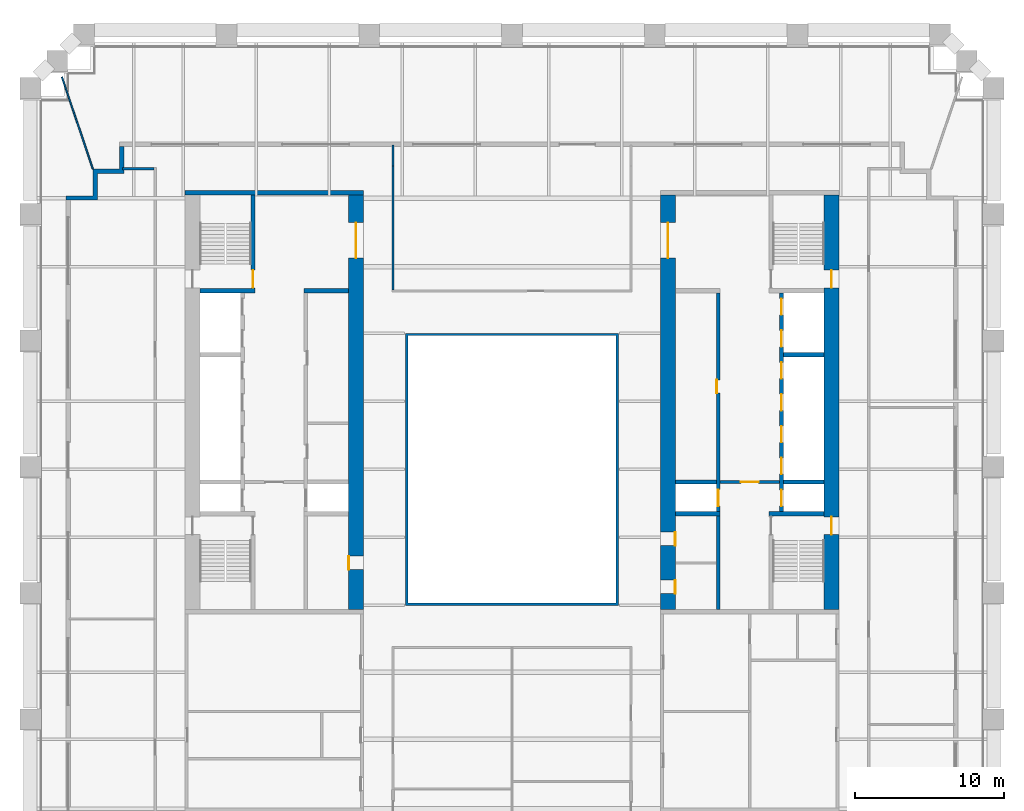
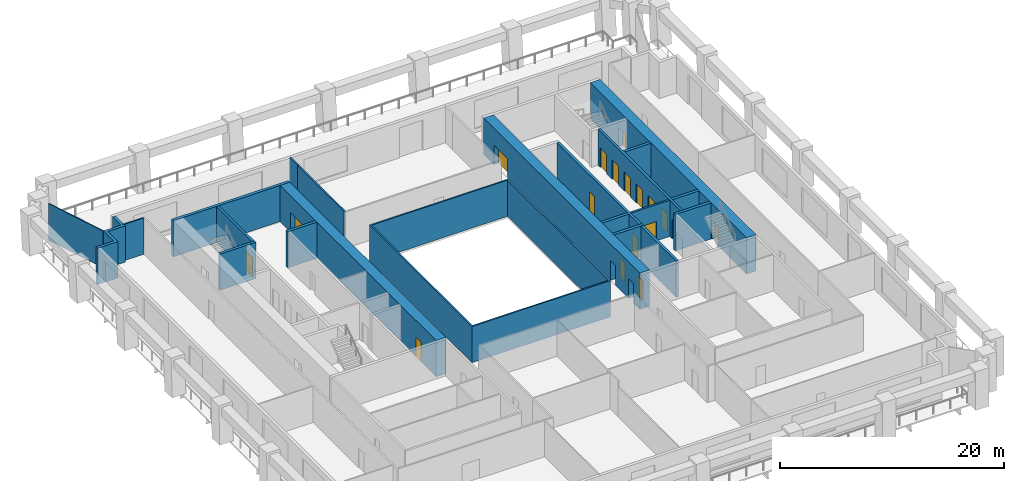
# One storey, part 6 of 9: 21 walls, 18 doors, 18 openings.
"""IFC4 building model written with IfcOpenShell, lengths in metres."""

from ifc_helpers import new_model, si_unit, direction, frame, frame_2d, origin, place, context, subcontext, project, spatial, polyline, rectangle, outline, extrude, material, layer, layer_set, type_object, element, fill, save


model = new_model("IFC4")

# Units and contexts
model_context = context("Model", 3, precision=1e-05, world=origin(), true_north=direction((0.0, 1.0)))
body_context = subcontext(model_context, "Body", "Model", "MODEL_VIEW")
ifc_project = project(units=[si_unit("LENGTHUNIT", "METRE"), si_unit("AREAUNIT", "SQUARE_METRE"), si_unit("VOLUMEUNIT", "CUBIC_METRE"), si_unit("PLANEANGLEUNIT", "RADIAN"), si_unit("MASSUNIT", "GRAM", prefix="KILO")], contexts=[model_context])

# Site, building, storey
site_placement = place(None, origin())
site = spatial("IfcSite", under=ifc_project, at=site_placement, CompositionType="ELEMENT")
building_placement = place(site_placement, origin())
building = spatial("IfcBuilding", under=site, at=building_placement, Name="Ogive Exchange Tower", CompositionType="ELEMENT")
storey_placement = place(building_placement, frame((0.0, 0.0, 85.800048828125)))
storey = spatial("IfcBuildingStorey", under=building, at=storey_placement, Name="L18", CompositionType="ELEMENT", Elevation=85.800048828125)

# Walls
ifc_material_1 = material(Name="Gypsum board partition")
ifc_layer_1 = layer(ifc_material_1, 0.300048828125)
ifc_layer_set_1 = layer_set([ifc_layer_1], Name="Core room partition 300 gypsum")
wall_type_1 = type_object("IfcWallType", Name="Core room partition 300 gypsum", PredefinedType="PARTITIONING", material=ifc_layer_set_1)
wall_1_placement = place(storey_placement, frame((-14.0, 19.0, 0.0), z_axis=(0.0, 0.0, 1.0), x_axis=(1.0, 0.0, 0.0)))
element("IfcWall", 1, at=wall_1_placement, inside=storey, type_object=wall_type_1, Name="W row B room end wall 7", PredefinedType="PARTITIONING", context=body_context, shape_type="SweptSolid", body=[
    extrude(rectangle(XDim=3.0, YDim=0.300048828125, at=frame_2d((1.5, 0.0))), origin(), (0.0, 0.0, 1.0), 3.949951171875),
])
ifc_material_2 = material(Name="Fire partition EI 60 150")
ifc_layer_2 = layer(ifc_material_2, 0.14990234375)
ifc_layer_set_2 = layer_set([ifc_layer_2], Name="Fire partition EI 60 150")
wall_type_2 = type_object("IfcWallType", Name="Fire partition EI 60 150", PredefinedType="PARTITIONING", material=ifc_layer_set_2)
wall_2_placement = place(storey_placement, frame((-24.074951171875, 27.2099609375, 0.0), z_axis=(0.0, 0.0, 1.0), x_axis=(-1.0, 0.0, 0.0)))
element("IfcWall", 2, at=wall_2_placement, inside=storey, type_object=wall_type_2, Name="L18-PWL-006", PredefinedType="PARTITIONING", context=body_context, shape_type="SweptSolid", body=[
    extrude(rectangle(XDim=2.125, YDim=0.14990234375, at=frame_2d((1.0625, 0.0))), origin(), (0.0, 0.0, 1.0), 3.949951171875),
])
wall_3_placement = place(storey_placement, frame((-8.010009765625, 28.800048828125, 0.0), z_axis=(0.0, 0.0, 1.0), x_axis=(0.0, -1.0, 0.0)))
element("IfcWall", 3, at=wall_3_placement, inside=storey, type_object=wall_type_2, Name="L18-PWL-009", PredefinedType="PARTITIONING", context=body_context, shape_type="SweptSolid", body=[
    extrude(rectangle(XDim=1.400146484375, YDim=0.14990234375, at=frame_2d((0.7001953125, 0.0))), origin(), (0.0, 0.0, 1.0), 3.949951171875),
])
wall_4_placement = place(storey_placement, frame((-8.0, 27.39990234375, 0.0), z_axis=(0.0, 0.0, 1.0), x_axis=(0.0, -1.0, 0.0)))
element("IfcWall", 4, at=wall_4_placement, inside=storey, type_object=wall_type_2, Name="L18-PWL-014", PredefinedType="PARTITIONING", context=body_context, shape_type="SweptSolid", body=[
    extrude(rectangle(XDim=8.324951171875, YDim=0.14990234375, at=frame_2d((4.16259765625, 0.0))), origin(), (0.0, 0.0, 1.0), 3.949951171875),
])
ifc_material_3 = material(Name="Fire-resisting glass in steel frame", Category="steel")
ifc_layer_3 = layer(ifc_material_3, 0.14990234375)
ifc_layer_set_3 = layer_set([ifc_layer_3], Name="Fire-rated glazed wall 150")
wall_type_3 = type_object("IfcWallType", Name="Fire-rated glazed wall 150", PredefinedType="STANDARD", material=ifc_layer_set_3)
wall_5_placement = place(storey_placement, origin())
element("IfcWall", 5, at=wall_5_placement, inside=storey, type_object=wall_type_3, Name="Nave enclosure wall", PredefinedType="STANDARD", context=body_context, shape_type="SweptSolid", body=[
    extrude(outline(polyline([(-7.14990234375, -2.14990234375), (7.14990234375, -2.14990234375), (7.14990234375, 16.14990234375), (-7.14990234375, 16.14990234375), (-7.14990234375, -2.14990234375)]), holes=[polyline([(-7.0, -2.0), (-7.0, 16.0), (7.0, 16.0), (7.0, -2.0), (-7.0, -2.0)])]), origin(), (0.0, 0.0, 1.0), 3.949951171875),
])
ifc_material_4 = material(Name="Precast concrete C40/50", Category="concrete")
ifc_layer_4 = layer(ifc_material_4, 0.300048828125)
ifc_layer_set_4 = layer_set([ifc_layer_4], Name="Limestone-faced wall 300")
wall_type_4 = type_object("IfcWallType", Name="Limestone-faced wall 300", PredefinedType="STANDARD", material=ifc_layer_set_4)
wall_6_placement = place(storey_placement, origin())
element("IfcWall", 6, at=wall_6_placement, inside=storey, type_object=wall_type_4, Name="External corner wall C3", PredefinedType="STANDARD", context=body_context, shape_type="SweptSolid", body=[
    extrude(outline(polyline([(-28.199951171875, 25.39990234375), (-28.199951171875, 27.199951171875), (-26.39990234375, 27.199951171875), (-26.39990234375, 28.699951171875), (-26.10009765625, 28.699951171875), (-26.10009765625, 26.89990234375), (-27.89990234375, 26.89990234375), (-27.89990234375, 25.10009765625), (-30.0, 25.10009765625), (-30.0, 25.39990234375), (-28.199951171875, 25.39990234375)])), origin(), (0.0, 0.0, 1.0), 3.949951171875),
])
ifc_material_5 = material(Name="Laminated safety glass in steel frame", Category="steel")
ifc_layer_5 = layer(ifc_material_5, 0.10009765625)
ifc_layer_set_5 = layer_set([ifc_layer_5], Name="Loggia end screen 100")
wall_type_5 = type_object("IfcWallType", Name="Loggia end screen 100", PredefinedType="STANDARD", material=ifc_layer_set_5)
wall_7_placement = place(storey_placement, frame((-28.199951171875, 27.199951171875, -0.050048828125), z_axis=(0.0, 0.0, 1.0), x_axis=(-0.318381156621, 0.94796278361, 0.0)))
element("IfcWall", 7, at=wall_7_placement, inside=storey, type_object=wall_type_5, Name="Loggia end screen C3", PredefinedType="STANDARD", context=body_context, shape_type="SweptSolid", body=[
    extrude(rectangle(XDim=6.52783203125, YDim=0.10009765625, at=frame_2d((3.263916015625, 0.0))), origin(), (0.0, 0.0, 1.0), 4.0),
])

# Wall, openings, doors
ifc_material_6 = material(Name="Concrete C70/85", Category="concrete")
ifc_layer_6 = layer(ifc_material_6, 1.0)
ifc_layer_set_6 = layer_set([ifc_layer_6], Name="RC core wall 1000 C70/85")
wall_type_6 = type_object("IfcWallType", Name="RC core wall 1000 C70/85", PredefinedType="SHEAR", material=ifc_layer_set_6)
wall_8_placement = place(storey_placement, frame((-10.5, -2.449951171875, 0.0), z_axis=(0.0, 0.0, 1.0), x_axis=(0.0, 1.0, 0.0)))
wall_8 = element("IfcWall", 8, at=wall_8_placement, inside=storey, type_object=wall_type_6, Name="W inner wall", PredefinedType="SHEAR", context=body_context, shape_type="SweptSolid", body=[
    extrude(rectangle(XDim=27.89990234375, YDim=1.0, at=frame_2d((13.949951171875, 0.0))), origin(), (0.0, 0.0, 1.0), 3.949951171875),
])
opening_1_placement = place(wall_8_placement, frame((23.64990234375, 0.0, 0.0)))
opening_1 = element("IfcOpeningElement", 9, at=opening_1_placement, cuts=wall_8, Name="Opening L18-C12", PredefinedType="OPENING", context=body_context, shape_type="SweptSolid", body=[
    extrude(rectangle(XDim=2.39990234375, YDim=2.10009765625, at=frame_2d((1.199951171875, 1.050048828125))), frame((0.0, 0.510009765625, 0.0), z_axis=(0.0, -1.0, 0.0), x_axis=(1.0, 0.0, 0.0)), (0.0, 0.0, 1.0), 1.02001953125),
])
opening_2_placement = place(wall_8_placement, frame((2.699951171875, 0.0, 0.0)))
opening_2 = element("IfcOpeningElement", 10, at=opening_2_placement, cuts=wall_8, Name="Opening L18-C17", PredefinedType="OPENING", context=body_context, shape_type="SweptSolid", body=[
    extrude(rectangle(XDim=0.89990234375, YDim=2.10009765625, at=frame_2d((0.449951171875, 1.050048828125))), frame((0.0, 0.510009765625, 0.0), z_axis=(0.0, -1.0, 0.0), x_axis=(1.0, 0.0, 0.0)), (0.0, 0.0, 1.0), 1.02001953125),
])
ifc_material_7 = material(Name="Timber fire door", Category="wood")
door_type_1 = type_object("IfcDoorType", Name="Core room door FD30S 900 x 2100", OperationType="NOTDEFINED", PredefinedType="DOOR", material=ifc_material_7)
door_1_placement = place(opening_2_placement, origin())
door_1 = element("IfcDoor", 11, at=door_1_placement, inside=storey, type_object=door_type_1, Name="Core room door", ObjectType="CD6", OperationType="SINGLE_SWING_LEFT", OverallHeight=2.10009765625, OverallWidth=0.89990234375, PredefinedType="DOOR", context=body_context, shape_type="SweptSolid", body=[
    extrude(rectangle(XDim=0.89990234375, YDim=2.10009765625, at=frame_2d((0.449951171875, 1.050048828125))), frame((0.0, 0.5, 0.0), z_axis=(0.0, -1.0, 0.0), x_axis=(1.0, 0.0, 0.0)), (0.0, 0.0, 1.0), 0.050048828125),
])
fill(opening_2, door_1)
ifc_material_8 = material(Name="Glazed steel fire door", Category="steel")
door_type_2 = type_object("IfcDoorType", Name="Lift lobby double door FD60 2400 x 2100", OperationType="DOUBLE_DOOR_SINGLE_SWING", PredefinedType="DOOR", material=ifc_material_8)
door_2_placement = place(opening_1_placement, origin())
door_2 = element("IfcDoor", 12, at=door_2_placement, inside=storey, type_object=door_type_2, Name="Lift lobby double door", ObjectType="CD4", OperationType="DOUBLE_DOOR_SINGLE_SWING", OverallHeight=2.10009765625, OverallWidth=2.39990234375, PredefinedType="DOOR", context=body_context, shape_type="SweptSolid", body=[
    extrude(rectangle(XDim=2.39990234375, YDim=2.10009765625, at=frame_2d((1.199951171875, 1.050048828125))), frame((0.0, 0.02490234375, 0.0), z_axis=(0.0, -1.0, 0.0), x_axis=(1.0, 0.0, 0.0)), (0.0, 0.0, 1.0), 0.050048828125),
])
fill(opening_1, door_2)

wall_9_placement = place(storey_placement, frame((21.5, -2.449951171875, 0.0), z_axis=(0.0, 0.0, 1.0), x_axis=(0.0, 1.0, 0.0)))
wall_9 = element("IfcWall", 13, at=wall_9_placement, inside=storey, type_object=wall_type_6, Name="E outer wall", PredefinedType="SHEAR", context=body_context, shape_type="SweptSolid", body=[
    extrude(rectangle(XDim=27.89990234375, YDim=1.0, at=frame_2d((13.949951171875, 0.0))), origin(), (0.0, 0.0, 1.0), 3.949951171875),
])
opening_3_placement = place(wall_9_placement, frame((5.050048828125, 0.0, 0.0)))
opening_3 = element("IfcOpeningElement", 14, at=opening_3_placement, cuts=wall_9, Name="Opening L18-C34", PredefinedType="OPENING", context=body_context, shape_type="SweptSolid", body=[
    extrude(rectangle(XDim=1.199951171875, YDim=2.10009765625, at=frame_2d((0.60009765625, 1.050048828125))), frame((0.0, 0.510009765625, 0.0), z_axis=(0.0, -1.0, 0.0), x_axis=(1.0, 0.0, 0.0)), (0.0, 0.0, 1.0), 1.02001953125),
])
opening_4_placement = place(wall_9_placement, frame((21.64990234375, 0.0, 0.0)))
opening_4 = element("IfcOpeningElement", 15, at=opening_4_placement, cuts=wall_9, Name="Opening L18-C36", PredefinedType="OPENING", context=body_context, shape_type="SweptSolid", body=[
    extrude(rectangle(XDim=1.199951171875, YDim=2.10009765625, at=frame_2d((0.60009765625, 1.050048828125))), frame((0.0, 0.510009765625, 0.0), z_axis=(0.0, -1.0, 0.0), x_axis=(1.0, 0.0, 0.0)), (0.0, 0.0, 1.0), 1.02001953125),
])
ifc_material_9 = material(Name="Steel fire door", Category="steel")
door_type_3 = type_object("IfcDoorType", Name="Stair door FD90 1200 x 2100", OperationType="NOTDEFINED", PredefinedType="DOOR", material=ifc_material_9)
door_3_placement = place(opening_3_placement, origin())
door_3 = element("IfcDoor", 16, at=door_3_placement, inside=storey, type_object=door_type_3, Name="Stair door", ObjectType="CD5", OperationType="SINGLE_SWING_LEFT", OverallHeight=2.10009765625, OverallWidth=1.199951171875, PredefinedType="DOOR", context=body_context, shape_type="SweptSolid", body=[
    extrude(rectangle(XDim=1.199951171875, YDim=2.10009765625, at=frame_2d((0.60009765625, 1.050048828125))), frame((0.0, 0.02490234375, 0.0), z_axis=(0.0, -1.0, 0.0), x_axis=(1.0, 0.0, 0.0)), (0.0, 0.0, 1.0), 0.050048828125),
])
fill(opening_3, door_3)
door_4_placement = place(opening_4_placement, origin())
door_4 = element("IfcDoor", 17, at=door_4_placement, inside=storey, type_object=door_type_3, Name="Stair door", ObjectType="CD5", OperationType="SINGLE_SWING_RIGHT", OverallHeight=2.10009765625, OverallWidth=1.199951171875, PredefinedType="DOOR", context=body_context, shape_type="SweptSolid", body=[
    extrude(rectangle(XDim=1.199951171875, YDim=2.10009765625, at=frame_2d((0.60009765625, 1.050048828125))), frame((0.0, 0.02490234375, 0.0), z_axis=(0.0, -1.0, 0.0), x_axis=(1.0, 0.0, 0.0)), (0.0, 0.0, 1.0), 0.050048828125),
])
fill(opening_4, door_4)

wall_10_placement = place(storey_placement, frame((10.5, -2.449951171875, 0.0), z_axis=(0.0, 0.0, 1.0), x_axis=(0.0, 1.0, 0.0)))
wall_10 = element("IfcWall", 18, at=wall_10_placement, inside=storey, type_object=wall_type_6, Name="E inner wall", PredefinedType="SHEAR", context=body_context, shape_type="SweptSolid", body=[
    extrude(rectangle(XDim=27.89990234375, YDim=1.0, at=frame_2d((13.949951171875, 0.0))), origin(), (0.0, 0.0, 1.0), 3.949951171875),
])
opening_5_placement = place(wall_10_placement, frame((23.64990234375, 0.0, 0.0)))
opening_5 = element("IfcOpeningElement", 19, at=opening_5_placement, cuts=wall_10, Name="Opening L18-C32", PredefinedType="OPENING", context=body_context, shape_type="SweptSolid", body=[
    extrude(rectangle(XDim=2.39990234375, YDim=2.10009765625, at=frame_2d((1.199951171875, 1.050048828125))), frame((0.0, 0.510009765625, 0.0), z_axis=(0.0, -1.0, 0.0), x_axis=(1.0, 0.0, 0.0)), (0.0, 0.0, 1.0), 1.02001953125),
])
opening_6_placement = place(wall_10_placement, frame((1.08740234375, 0.0, 0.0)))
opening_6 = element("IfcOpeningElement", 20, at=opening_6_placement, cuts=wall_10, Name="Opening L18-C37", PredefinedType="OPENING", context=body_context, shape_type="SweptSolid", body=[
    extrude(rectangle(XDim=0.89990234375, YDim=2.10009765625, at=frame_2d((0.449951171875, 1.050048828125))), frame((0.0, 0.510009765625, 0.0), z_axis=(0.0, -1.0, 0.0), x_axis=(1.0, 0.0, 0.0)), (0.0, 0.0, 1.0), 1.02001953125),
])
opening_7_placement = place(wall_10_placement, frame((4.3125, 0.0, 0.0)))
opening_7 = element("IfcOpeningElement", 21, at=opening_7_placement, cuts=wall_10, Name="Opening L18-C38", PredefinedType="OPENING", context=body_context, shape_type="SweptSolid", body=[
    extrude(rectangle(XDim=0.89990234375, YDim=2.10009765625, at=frame_2d((0.449951171875, 1.050048828125))), frame((0.0, 0.510009765625, 0.0), z_axis=(0.0, -1.0, 0.0), x_axis=(1.0, 0.0, 0.0)), (0.0, 0.0, 1.0), 1.02001953125),
])
door_5_placement = place(opening_6_placement, frame((0.89990234375, -0.9501953125, 0.0), z_axis=(0.0, 0.0, 1.0), x_axis=(-1.0, 0.0, 0.0)))
door_5 = element("IfcDoor", 22, at=door_5_placement, inside=storey, type_object=door_type_1, Name="Core room door", ObjectType="CD6", OperationType="SINGLE_SWING_RIGHT", OverallHeight=2.10009765625, OverallWidth=0.89990234375, PredefinedType="DOOR", context=body_context, shape_type="SweptSolid", body=[
    extrude(rectangle(XDim=0.89990234375, YDim=2.10009765625, at=frame_2d((0.449951171875, 1.050048828125))), frame((0.0, -0.4501953125, 0.0), z_axis=(0.0, -1.0, 0.0), x_axis=(1.0, 0.0, 0.0)), (0.0, 0.0, 1.0), 0.050048828125),
])
fill(opening_6, door_5)
door_6_placement = place(opening_5_placement, frame((2.39990234375, 0.0, 0.0), z_axis=(0.0, 0.0, 1.0), x_axis=(-1.0, 0.0, 0.0)))
door_6 = element("IfcDoor", 23, at=door_6_placement, inside=storey, type_object=door_type_2, Name="Lift lobby double door", ObjectType="CD4", OperationType="DOUBLE_DOOR_SINGLE_SWING", OverallHeight=2.10009765625, OverallWidth=2.39990234375, PredefinedType="DOOR", context=body_context, shape_type="SweptSolid", body=[
    extrude(rectangle(XDim=2.39990234375, YDim=2.10009765625, at=frame_2d((1.199951171875, 1.050048828125))), frame((0.0, 0.02490234375, 0.0), z_axis=(0.0, -1.0, 0.0), x_axis=(1.0, 0.0, 0.0)), (0.0, 0.0, 1.0), 0.050048828125),
])
fill(opening_5, door_6)
door_type_4 = type_object("IfcDoorType", Name="Riser door FD60 900 x 2100", OperationType="NOTDEFINED", PredefinedType="DOOR", material=ifc_material_9)
door_7_placement = place(opening_7_placement, frame((0.89990234375, -0.9501953125, 0.0), z_axis=(0.0, 0.0, 1.0), x_axis=(-1.0, 0.0, 0.0)))
door_7 = element("IfcDoor", 24, at=door_7_placement, inside=storey, type_object=door_type_4, Name="Riser door", ObjectType="CD2", OperationType="SINGLE_SWING_LEFT", OverallHeight=2.10009765625, OverallWidth=0.89990234375, PredefinedType="DOOR", context=body_context, shape_type="SweptSolid", body=[
    extrude(rectangle(XDim=0.89990234375, YDim=2.10009765625, at=frame_2d((0.449951171875, 1.050048828125))), frame((0.0, -0.4501953125, 0.0), z_axis=(0.0, -1.0, 0.0), x_axis=(1.0, 0.0, 0.0)), (0.0, 0.0, 1.0), 0.050048828125),
])
fill(opening_7, door_7)

# Wall, opening, door
ifc_layer_7 = layer(ifc_material_6, 0.199951171875)
ifc_layer_set_7 = layer_set([ifc_layer_7], Name="RC core wall 200 C70/85")
wall_type_7 = type_object("IfcWallType", Name="RC core wall 200 C70/85", PredefinedType="SHEAR", material=ifc_layer_set_7)
wall_11_placement = place(storey_placement, frame((14.0, 6.142822265625, 0.0), z_axis=(0.0, 0.0, 1.0), x_axis=(1.0, 0.0, 0.0)))
wall_11 = element("IfcWall", 25, at=wall_11_placement, inside=storey, type_object=wall_type_7, Name="E firefighting lobby wall", PredefinedType="SHEAR", context=body_context, shape_type="SweptSolid", body=[
    extrude(rectangle(XDim=4.0, YDim=0.199951171875, at=frame_2d((2.0, 0.0))), origin(), (0.0, 0.0, 1.0), 3.949951171875),
])
opening_8_placement = place(wall_11_placement, frame((1.39990234375, 0.0, 0.0)))
opening_8 = element("IfcOpeningElement", 26, at=opening_8_placement, cuts=wall_11, Name="Opening L18-C31", PredefinedType="OPENING", context=body_context, shape_type="SweptSolid", body=[
    extrude(rectangle(XDim=1.199951171875, YDim=2.10009765625, at=frame_2d((0.60009765625, 1.050048828125))), frame((0.0, 0.10986328125, 0.0), z_axis=(0.0, -1.0, 0.0), x_axis=(1.0, 0.0, 0.0)), (0.0, 0.0, 1.0), 0.219970703125),
])
door_type_5 = type_object("IfcDoorType", Name="Firefighting lobby door FD60 1200 x 2100", OperationType="NOTDEFINED", PredefinedType="DOOR", material=ifc_material_9)
door_8_placement = place(opening_8_placement, frame((1.199951171875, 0.0, 0.0), z_axis=(0.0, 0.0, 1.0), x_axis=(-1.0, 0.0, 0.0)))
door_8 = element("IfcDoor", 27, at=door_8_placement, inside=storey, type_object=door_type_5, Name="Firefighting lobby door", ObjectType="CD3", OperationType="SINGLE_SWING_LEFT", OverallHeight=2.10009765625, OverallWidth=1.199951171875, PredefinedType="DOOR", context=body_context, shape_type="SweptSolid", body=[
    extrude(rectangle(XDim=1.199951171875, YDim=2.10009765625, at=frame_2d((0.60009765625, 1.050048828125))), frame((0.0, 0.02490234375, 0.0), z_axis=(0.0, -1.0, 0.0), x_axis=(1.0, 0.0, 0.0)), (0.0, 0.0, 1.0), 0.050048828125),
])
fill(opening_8, door_8)

ifc_layer_8 = layer(ifc_material_6, 0.25)
ifc_layer_set_8 = layer_set([ifc_layer_8], Name="RC core wall 250 C70/85")
wall_type_8 = type_object("IfcWallType", Name="RC core wall 250 C70/85", PredefinedType="SHEAR", material=ifc_layer_set_8)
wall_12_placement = place(storey_placement, frame((-17.425048828125, 19.14990234375, 0.0), z_axis=(0.0, 0.0, 1.0), x_axis=(0.0, 1.0, 0.0)))
wall_12 = element("IfcWall", 28, at=wall_12_placement, inside=storey, type_object=wall_type_8, Name="W stair N front wall", PredefinedType="SHEAR", context=body_context, shape_type="SweptSolid", body=[
    extrude(rectangle(XDim=6.300048828125, YDim=0.25, at=frame_2d((3.14990234375, 0.0))), origin(), (0.0, 0.0, 1.0), 3.949951171875),
])
opening_9_placement = place(wall_12_placement, frame((0.050048828125, 0.0, 0.0)))
opening_9 = element("IfcOpeningElement", 29, at=opening_9_placement, cuts=wall_12, Name="Opening L18-C15", PredefinedType="OPENING", context=body_context, shape_type="SweptSolid", body=[
    extrude(rectangle(XDim=1.199951171875, YDim=2.10009765625, at=frame_2d((0.60009765625, 1.050048828125))), frame((0.0, 0.135009765625, 0.0), z_axis=(0.0, -1.0, 0.0), x_axis=(1.0, 0.0, 0.0)), (0.0, 0.0, 1.0), 0.27001953125),
])
door_9_placement = place(opening_9_placement, origin())
door_9 = element("IfcDoor", 30, at=door_9_placement, inside=storey, type_object=door_type_3, Name="Stair door", ObjectType="CD5", OperationType="SINGLE_SWING_RIGHT", OverallHeight=2.10009765625, OverallWidth=1.199951171875, PredefinedType="DOOR", context=body_context, shape_type="SweptSolid", body=[
    extrude(rectangle(XDim=1.199951171875, YDim=2.10009765625, at=frame_2d((0.60009765625, 1.050048828125))), frame((0.0, 0.02490234375, 0.0), z_axis=(0.0, -1.0, 0.0), x_axis=(1.0, 0.0, 0.0)), (0.0, 0.0, 1.0), 0.050048828125),
])
fill(opening_9, door_9)

# Wall, openings, doors
wall_13_placement = place(storey_placement, frame((18.125, 4.14990234375, 0.0), z_axis=(0.0, 0.0, 1.0), x_axis=(0.0, 1.0, 0.0)))
wall_13 = element("IfcWall", 31, at=wall_13_placement, inside=storey, type_object=wall_type_8, Name="E row A front wall", PredefinedType="SHEAR", context=body_context, shape_type="SweptSolid", body=[
    extrude(rectangle(XDim=14.7001953125, YDim=0.25, at=frame_2d((7.35009765625, 0.0))), origin(), (0.0, 0.0, 1.0), 3.949951171875),
])
opening_10_placement = place(wall_13_placement, frame((0.371337890625, 0.0, 0.0)))
opening_10 = element("IfcOpeningElement", 32, at=opening_10_placement, cuts=wall_13, Name="Opening L18-C22", PredefinedType="OPENING", context=body_context, shape_type="SweptSolid", body=[
    extrude(rectangle(XDim=1.10009765625, YDim=2.10009765625, at=frame_2d((0.550048828125, 1.050048828125))), frame((0.0, 0.135009765625, 0.0), z_axis=(0.0, -1.0, 0.0), x_axis=(1.0, 0.0, 0.0)), (0.0, 0.0, 1.0), 0.27001953125),
])
opening_11_placement = place(wall_13_placement, frame((2.514404296875, 0.0, 0.0)))
opening_11 = element("IfcOpeningElement", 33, at=opening_11_placement, cuts=wall_13, Name="Opening L18-C23", PredefinedType="OPENING", context=body_context, shape_type="SweptSolid", body=[
    extrude(rectangle(XDim=1.10009765625, YDim=2.10009765625, at=frame_2d((0.550048828125, 1.050048828125))), frame((0.0, 0.135009765625, 0.0), z_axis=(0.0, -1.0, 0.0), x_axis=(1.0, 0.0, 0.0)), (0.0, 0.0, 1.0), 0.27001953125),
])
opening_12_placement = place(wall_13_placement, frame((4.656982421875, 0.0, 0.0)))
opening_12 = element("IfcOpeningElement", 34, at=opening_12_placement, cuts=wall_13, Name="Opening L18-C24", PredefinedType="OPENING", context=body_context, shape_type="SweptSolid", body=[
    extrude(rectangle(XDim=1.10009765625, YDim=2.10009765625, at=frame_2d((0.550048828125, 1.050048828125))), frame((0.0, 0.135009765625, 0.0), z_axis=(0.0, -1.0, 0.0), x_axis=(1.0, 0.0, 0.0)), (0.0, 0.0, 1.0), 0.27001953125),
])
opening_13_placement = place(wall_13_placement, frame((6.800048828125, 0.0, 0.0)))
opening_13 = element("IfcOpeningElement", 35, at=opening_13_placement, cuts=wall_13, Name="Opening L18-C25", PredefinedType="OPENING", context=body_context, shape_type="SweptSolid", body=[
    extrude(rectangle(XDim=1.10009765625, YDim=2.10009765625, at=frame_2d((0.550048828125, 1.050048828125))), frame((0.0, 0.135009765625, 0.0), z_axis=(0.0, -1.0, 0.0), x_axis=(1.0, 0.0, 0.0)), (0.0, 0.0, 1.0), 0.27001953125),
])
opening_14_placement = place(wall_13_placement, frame((8.94287109375, 0.0, 0.0)))
opening_14 = element("IfcOpeningElement", 36, at=opening_14_placement, cuts=wall_13, Name="Opening L18-C26", PredefinedType="OPENING", context=body_context, shape_type="SweptSolid", body=[
    extrude(rectangle(XDim=1.10009765625, YDim=2.10009765625, at=frame_2d((0.550048828125, 1.050048828125))), frame((0.0, 0.135009765625, 0.0), z_axis=(0.0, -1.0, 0.0), x_axis=(1.0, 0.0, 0.0)), (0.0, 0.0, 1.0), 0.27001953125),
])
opening_15_placement = place(wall_13_placement, frame((11.085693359375, 0.0, 0.0)))
opening_15 = element("IfcOpeningElement", 37, at=opening_15_placement, cuts=wall_13, Name="Opening L18-C27", PredefinedType="OPENING", context=body_context, shape_type="SweptSolid", body=[
    extrude(rectangle(XDim=1.10009765625, YDim=2.10009765625, at=frame_2d((0.550048828125, 1.050048828125))), frame((0.0, 0.135009765625, 0.0), z_axis=(0.0, -1.0, 0.0), x_axis=(1.0, 0.0, 0.0)), (0.0, 0.0, 1.0), 0.27001953125),
])
opening_16_placement = place(wall_13_placement, frame((13.228515625, 0.0, 0.0)))
opening_16 = element("IfcOpeningElement", 38, at=opening_16_placement, cuts=wall_13, Name="Opening L18-C28", PredefinedType="OPENING", context=body_context, shape_type="SweptSolid", body=[
    extrude(rectangle(XDim=1.10009765625, YDim=2.10009765625, at=frame_2d((0.550048828125, 1.050048828125))), frame((0.0, 0.135009765625, 0.0), z_axis=(0.0, -1.0, 0.0), x_axis=(1.0, 0.0, 0.0)), (0.0, 0.0, 1.0), 0.27001953125),
])
ifc_material_10 = material(Name="Stainless steel", Category="steel")
door_type_6 = type_object("IfcDoorType", Name="Lift landing door FD90 1100 x 2100", OperationType="SLIDING_TO_LEFT", PredefinedType="DOOR", material=ifc_material_10)
door_10_placement = place(opening_10_placement, origin())
door_10 = element("IfcDoor", 39, at=door_10_placement, inside=storey, type_object=door_type_6, Name="Lift landing door FF2", ObjectType="LD", OperationType="SLIDING_TO_LEFT", OverallHeight=2.10009765625, OverallWidth=1.10009765625, PredefinedType="DOOR", context=body_context, shape_type="SweptSolid", body=[
    extrude(rectangle(XDim=1.10009765625, YDim=2.10009765625, at=frame_2d((0.550048828125, 1.050048828125))), frame((0.0, 0.02490234375, 0.0), z_axis=(0.0, -1.0, 0.0), x_axis=(1.0, 0.0, 0.0)), (0.0, 0.0, 1.0), 0.050048828125),
])
fill(opening_10, door_10)
door_11_placement = place(opening_11_placement, origin())
door_11 = element("IfcDoor", 40, at=door_11_placement, inside=storey, type_object=door_type_6, Name="Lift landing door E-L1", ObjectType="LD", OperationType="SLIDING_TO_LEFT", OverallHeight=2.10009765625, OverallWidth=1.10009765625, PredefinedType="DOOR", context=body_context, shape_type="SweptSolid", body=[
    extrude(rectangle(XDim=1.10009765625, YDim=2.10009765625, at=frame_2d((0.550048828125, 1.050048828125))), frame((0.0, 0.02490234375, 0.0), z_axis=(0.0, -1.0, 0.0), x_axis=(1.0, 0.0, 0.0)), (0.0, 0.0, 1.0), 0.050048828125),
])
fill(opening_11, door_11)
door_12_placement = place(opening_12_placement, origin())
door_12 = element("IfcDoor", 41, at=door_12_placement, inside=storey, type_object=door_type_6, Name="Lift landing door E-L2", ObjectType="LD", OperationType="SLIDING_TO_LEFT", OverallHeight=2.10009765625, OverallWidth=1.10009765625, PredefinedType="DOOR", context=body_context, shape_type="SweptSolid", body=[
    extrude(rectangle(XDim=1.10009765625, YDim=2.10009765625, at=frame_2d((0.550048828125, 1.050048828125))), frame((0.0, 0.02490234375, 0.0), z_axis=(0.0, -1.0, 0.0), x_axis=(1.0, 0.0, 0.0)), (0.0, 0.0, 1.0), 0.050048828125),
])
fill(opening_12, door_12)
door_13_placement = place(opening_13_placement, origin())
door_13 = element("IfcDoor", 42, at=door_13_placement, inside=storey, type_object=door_type_6, Name="Lift landing door E-L3", ObjectType="LD", OperationType="SLIDING_TO_LEFT", OverallHeight=2.10009765625, OverallWidth=1.10009765625, PredefinedType="DOOR", context=body_context, shape_type="SweptSolid", body=[
    extrude(rectangle(XDim=1.10009765625, YDim=2.10009765625, at=frame_2d((0.550048828125, 1.050048828125))), frame((0.0, 0.02490234375, 0.0), z_axis=(0.0, -1.0, 0.0), x_axis=(1.0, 0.0, 0.0)), (0.0, 0.0, 1.0), 0.050048828125),
])
fill(opening_13, door_13)
door_14_placement = place(opening_14_placement, origin())
door_14 = element("IfcDoor", 43, at=door_14_placement, inside=storey, type_object=door_type_6, Name="Lift landing door E-L4", ObjectType="LD", OperationType="SLIDING_TO_LEFT", OverallHeight=2.10009765625, OverallWidth=1.10009765625, PredefinedType="DOOR", context=body_context, shape_type="SweptSolid", body=[
    extrude(rectangle(XDim=1.10009765625, YDim=2.10009765625, at=frame_2d((0.550048828125, 1.050048828125))), frame((0.0, 0.02490234375, 0.0), z_axis=(0.0, -1.0, 0.0), x_axis=(1.0, 0.0, 0.0)), (0.0, 0.0, 1.0), 0.050048828125),
])
fill(opening_14, door_14)
door_15_placement = place(opening_15_placement, origin())
door_15 = element("IfcDoor", 44, at=door_15_placement, inside=storey, type_object=door_type_6, Name="Lift landing door E-SH1", ObjectType="LD", OperationType="SLIDING_TO_LEFT", OverallHeight=2.10009765625, OverallWidth=1.10009765625, PredefinedType="DOOR", context=body_context, shape_type="SweptSolid", body=[
    extrude(rectangle(XDim=1.10009765625, YDim=2.10009765625, at=frame_2d((0.550048828125, 1.050048828125))), frame((0.0, 0.02490234375, 0.0), z_axis=(0.0, -1.0, 0.0), x_axis=(1.0, 0.0, 0.0)), (0.0, 0.0, 1.0), 0.050048828125),
])
fill(opening_15, door_15)
door_16_placement = place(opening_16_placement, origin())
door_16 = element("IfcDoor", 45, at=door_16_placement, inside=storey, type_object=door_type_6, Name="Lift landing door E-SH2", ObjectType="LD", OperationType="SLIDING_TO_LEFT", OverallHeight=2.10009765625, OverallWidth=1.10009765625, PredefinedType="DOOR", context=body_context, shape_type="SweptSolid", body=[
    extrude(rectangle(XDim=1.10009765625, YDim=2.10009765625, at=frame_2d((0.550048828125, 1.050048828125))), frame((0.0, 0.02490234375, 0.0), z_axis=(0.0, -1.0, 0.0), x_axis=(1.0, 0.0, 0.0)), (0.0, 0.0, 1.0), 0.050048828125),
])
fill(opening_16, door_16)

wall_14_placement = place(storey_placement, frame((13.875, -2.449951171875, 0.0), z_axis=(0.0, 0.0, 1.0), x_axis=(0.0, 1.0, 0.0)))
wall_14 = element("IfcWall", 46, at=wall_14_placement, inside=storey, type_object=wall_type_8, Name="E row B front wall", PredefinedType="SHEAR", context=body_context, shape_type="SweptSolid", body=[
    extrude(rectangle(XDim=21.300048828125, YDim=0.25, at=frame_2d((10.64990234375, 0.0))), origin(), (0.0, 0.0, 1.0), 3.949951171875),
])
opening_17_placement = place(wall_14_placement, frame((14.5712890625, 0.0, 0.0)))
opening_17 = element("IfcOpeningElement", 47, at=opening_17_placement, cuts=wall_14, Name="Opening L18-C29", PredefinedType="OPENING", context=body_context, shape_type="SweptSolid", body=[
    extrude(rectangle(XDim=0.89990234375, YDim=2.10009765625, at=frame_2d((0.449951171875, 1.050048828125))), frame((0.0, 0.135009765625, 0.0), z_axis=(0.0, -1.0, 0.0), x_axis=(1.0, 0.0, 0.0)), (0.0, 0.0, 1.0), 0.27001953125),
])
opening_18_placement = place(wall_14_placement, frame((6.971435546875, 0.0, 0.0)))
opening_18 = element("IfcOpeningElement", 48, at=opening_18_placement, cuts=wall_14, Name="Opening L18-C30", PredefinedType="OPENING", context=body_context, shape_type="SweptSolid", body=[
    extrude(rectangle(XDim=1.10009765625, YDim=2.10009765625, at=frame_2d((0.550048828125, 1.050048828125))), frame((0.0, 0.135009765625, 0.0), z_axis=(0.0, -1.0, 0.0), x_axis=(1.0, 0.0, 0.0)), (0.0, 0.0, 1.0), 0.27001953125),
])
door_17_placement = place(opening_18_placement, origin())
door_17 = element("IfcDoor", 49, at=door_17_placement, inside=storey, type_object=door_type_6, Name="Lift landing door SV2", ObjectType="LD", OperationType="SLIDING_TO_LEFT", OverallHeight=2.10009765625, OverallWidth=1.10009765625, PredefinedType="DOOR", context=body_context, shape_type="SweptSolid", body=[
    extrude(rectangle(XDim=1.10009765625, YDim=2.10009765625, at=frame_2d((0.550048828125, 1.050048828125))), frame((0.0, 0.02490234375, 0.0), z_axis=(0.0, -1.0, 0.0), x_axis=(1.0, 0.0, 0.0)), (0.0, 0.0, 1.0), 0.050048828125),
])
fill(opening_18, door_17)
door_18_placement = place(opening_17_placement, origin())
door_18 = element("IfcDoor", 50, at=door_18_placement, inside=storey, type_object=door_type_4, Name="Riser door", ObjectType="CD2", OperationType="SINGLE_SWING_LEFT", OverallHeight=2.10009765625, OverallWidth=0.89990234375, PredefinedType="DOOR", context=body_context, shape_type="SweptSolid", body=[
    extrude(rectangle(XDim=0.89990234375, YDim=2.10009765625, at=frame_2d((0.449951171875, 1.050048828125))), frame((0.0, 0.125, 0.0), z_axis=(0.0, -1.0, 0.0), x_axis=(1.0, 0.0, 0.0)), (0.0, 0.0, 1.0), 0.050048828125),
])
fill(opening_17, door_18)

# Walls
ifc_layer_9 = layer(ifc_material_6, 0.300048828125)
ifc_layer_set_9 = layer_set([ifc_layer_9], Name="RC core wall 300 C70/85")
wall_type_9 = type_object("IfcWallType", Name="RC core wall 300 C70/85", PredefinedType="SHEAR", material=ifc_layer_set_9)
wall_15_placement = place(storey_placement, frame((-22.0, 25.60009765625, 0.0), z_axis=(0.0, 0.0, 1.0), x_axis=(1.0, 0.0, 0.0)))
element("IfcWall", 51, at=wall_15_placement, inside=storey, type_object=wall_type_9, Name="W north end wall", PredefinedType="SHEAR", context=body_context, shape_type="SweptSolid", body=[
    extrude(rectangle(XDim=12.0, YDim=0.300048828125, at=frame_2d((6.0, 0.0))), origin(), (0.0, 0.0, 1.0), 3.949951171875),
])
for number, where, z_axis, x_axis, name in (
    (52, (-21.0, 19.0, 0.0), (0.0, 0.0, 1.0), (1.0, 0.0, 0.0), "W stair N south wall"),
    (53, (17.300048828125, 4.0, 0.0), (0.0, 0.0, 1.0), (1.0, 0.0, 0.0), "E stair S north wall"),
):
    element("IfcWall", number, at=place(storey_placement, frame(where, z_axis=z_axis, x_axis=x_axis)), inside=storey, type_object=wall_type_9, Name=name, PredefinedType="SHEAR", context=body_context, shape_type="SweptSolid", body=[
        extrude(rectangle(XDim=3.699951171875, YDim=0.300048828125, at=frame_2d((1.85009765625, 0.0))), origin(), (0.0, 0.0, 1.0), 3.949951171875),
    ])
for number, where, z_axis, x_axis, name in (
    (54, (18.25, 6.142822265625, 0.0), (0.0, 0.0, 1.0), (1.0, 0.0, 0.0), "E row A divider 1"),
    (55, (18.25, 14.71435546875, 0.0), (0.0, 0.0, 1.0), (1.0, 0.0, 0.0), "E row A divider 5"),
):
    element("IfcWall", number, at=place(storey_placement, frame(where, z_axis=z_axis, x_axis=x_axis)), inside=storey, type_object=wall_type_9, Name=name, PredefinedType="SHEAR", context=body_context, shape_type="SweptSolid", body=[
        extrude(rectangle(XDim=2.75, YDim=0.300048828125, at=frame_2d((1.375, 0.0))), origin(), (0.0, 0.0, 1.0), 3.949951171875),
    ])
wall_16_placement = place(storey_placement, frame((11.0, 4.0, 0.0), z_axis=(0.0, 0.0, 1.0), x_axis=(1.0, 0.0, 0.0)))
element("IfcWall", 56, at=wall_16_placement, inside=storey, type_object=wall_type_9, Name="E row B divider 0", PredefinedType="SHEAR", context=body_context, shape_type="SweptSolid", body=[
    extrude(rectangle(XDim=3.0, YDim=0.300048828125, at=frame_2d((1.5, 0.0))), origin(), (0.0, 0.0, 1.0), 3.949951171875),
])
wall_17_placement = place(storey_placement, frame((11.0, 6.142822265625, 0.0), z_axis=(0.0, 0.0, 1.0), x_axis=(1.0, 0.0, 0.0)))
element("IfcWall", 57, at=wall_17_placement, inside=storey, type_object=wall_type_9, Name="E row B divider 1", PredefinedType="SHEAR", context=body_context, shape_type="SweptSolid", body=[
    extrude(rectangle(XDim=2.75, YDim=0.300048828125, at=frame_2d((1.375, 0.0))), origin(), (0.0, 0.0, 1.0), 3.949951171875),
])

save(model, "model.ifc")
